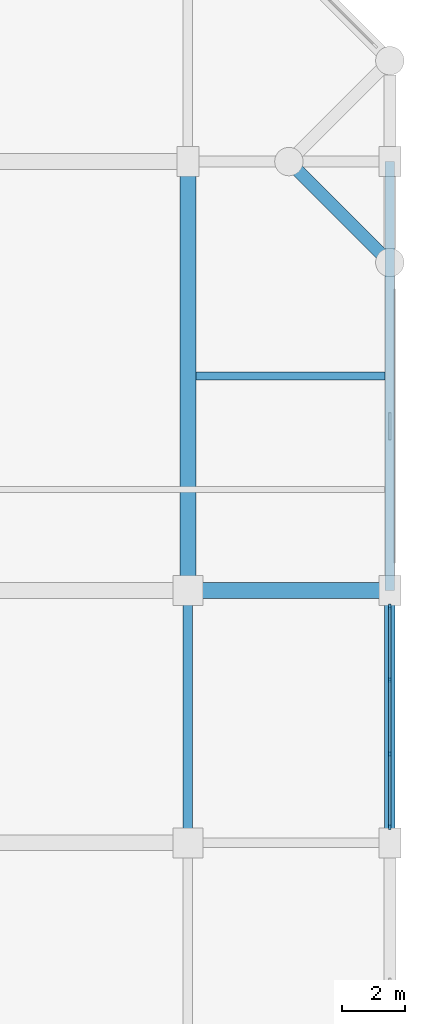
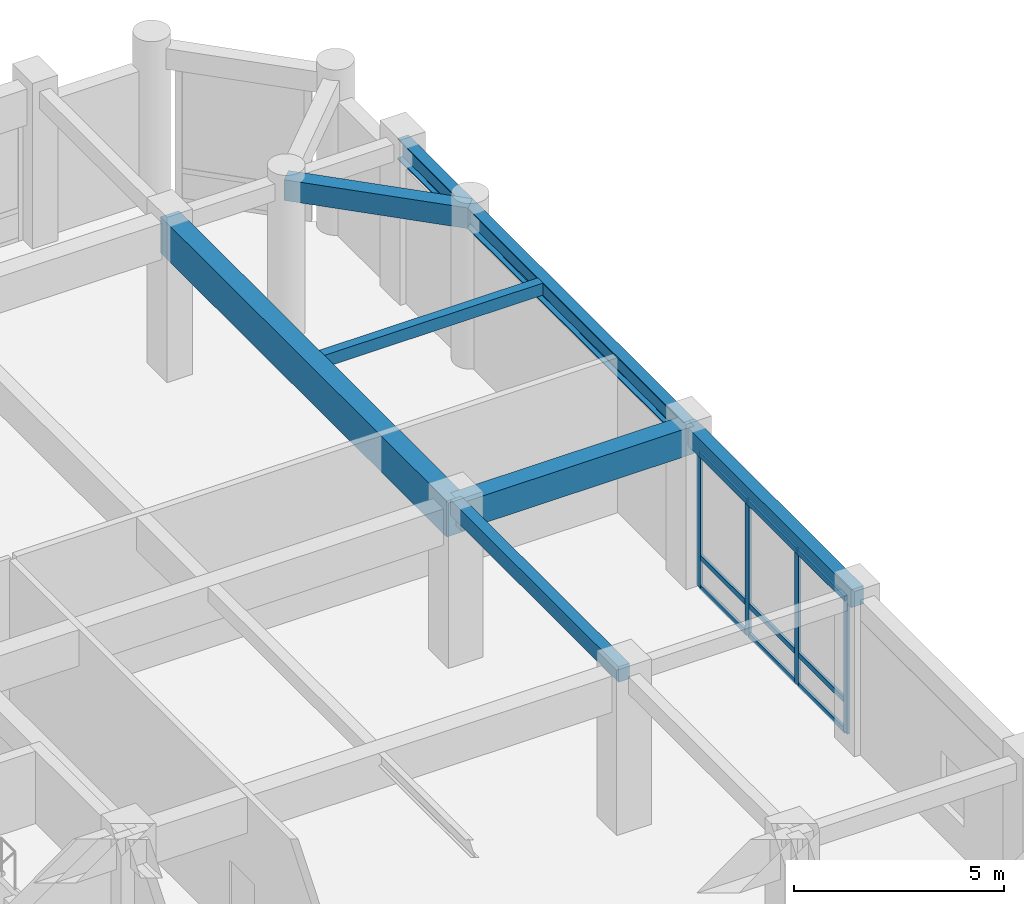
# One storey, part 34 of 61: 13 members, 7 beams, 1 element without a shape of its own.
"""IFC4 building model written with IfcOpenShell, lengths in metres."""

from ifc_helpers import new_model, si_unit, direction, frame, origin, origin_2d, place, context, subcontext, project, spatial, rectangle, i_section, extrude, material, material_profile, profile_set, type_object, element, aggregate, save


model = new_model("IFC4")

# Units and contexts
model_context = context("Model", 3, precision=1e-05, world=origin(), true_north=direction((0.0, 1.0)))
body_context = subcontext(model_context, "Body", "Model", "MODEL_VIEW")
ifc_project = project(units=[si_unit("LENGTHUNIT", "METRE"), si_unit("AREAUNIT", "SQUARE_METRE"), si_unit("VOLUMEUNIT", "CUBIC_METRE"), si_unit("PLANEANGLEUNIT", "RADIAN"), si_unit("MASSUNIT", "GRAM", prefix="KILO")], contexts=[model_context])

# Site, building, storey
site_placement = place(None, origin())
site = spatial("IfcSite", under=ifc_project, at=site_placement, CompositionType="ELEMENT")
building_placement = place(site_placement, origin())
building = spatial("IfcBuilding", under=site, at=building_placement, Name="Vellmiral Cinema and Media Centre", CompositionType="ELEMENT")
storey_placement = place(building_placement, frame((0.0, 0.0, 10.800048828125)))
storey = spatial("IfcBuildingStorey", under=building, at=storey_placement, Name="L02", CompositionType="ELEMENT", Elevation=10.800048828125)

# Beams
ifc_material_1 = material(Name="Concrete C40/50", Category="concrete")
ifc_material_profile_1 = material_profile(ifc_material_1, rectangle(XDim=0.300048828125, YDim=0.449951171875, at=origin_2d()), Name="RC 300x450")
ifc_profile_set_1 = profile_set([ifc_material_profile_1], Name="Concrete C40/50")
beam_type_1 = type_object("IfcBeamType", Name="BM-RC-300x450", PredefinedType="BEAM", material=ifc_profile_set_1)
beam_1_placement = place(storey_placement, frame((161.60009765625, 87.199951171875, 4.27001953125), z_axis=(0.0, 1.0, 0.0), x_axis=(-1.0, 0.0, 0.0)))
element("IfcBeam", 1, at=beam_1_placement, inside=storey, type_object=beam_type_1, Name="Grid Beam L02-Y190", PredefinedType="BEAM", context=body_context, shape_type="SweptSolid", body=[
    extrude(rectangle(XDim=0.300048828125, YDim=0.449951171875, at=origin_2d()), origin(), (0.0, 0.0, 1.0), 8.0),
])
ifc_material_2 = material(Name="Concrete C40/50", Category="concrete")
ifc_material_profile_2 = material_profile(ifc_material_2, rectangle(XDim=0.5, YDim=0.800048828125, at=origin_2d()), Name="RC 500x800")
ifc_profile_set_2 = profile_set([ifc_material_profile_2], Name="Concrete C40/50")
beam_type_2 = type_object("IfcBeamType", Name="BM-RC-500x800", PredefinedType="BEAM", material=ifc_profile_set_2)
beam_2_placement = place(storey_placement, frame((161.60009765625, 95.199951171875, 4.094970703125), z_axis=(1.0, 0.0, 0.0), x_axis=(0.0, 1.0, 0.0)))
element("IfcBeam", 2, at=beam_2_placement, inside=storey, type_object=beam_type_2, Name="Grid Beam L02-X085", PredefinedType="BEAM", context=body_context, shape_type="SweptSolid", body=[
    extrude(rectangle(XDim=0.5, YDim=0.800048828125, at=origin_2d()), origin(), (0.0, 0.0, 1.0), 6.39990234375),
])
ifc_material_3 = material(Name="Concrete C40/50", Category="concrete")
ifc_material_profile_3 = material_profile(ifc_material_3, rectangle(XDim=0.5, YDim=1.050048828125, at=origin_2d()), Name="RC 500x1050")
ifc_profile_set_3 = profile_set([ifc_material_profile_3], Name="Concrete C40/50")
beam_type_3 = type_object("IfcBeamType", Name="BM-RCG-500x1050", PredefinedType="BEAM", material=ifc_profile_set_3)
beam_3_placement = place(storey_placement, frame((161.60009765625, 95.199951171875, 3.969970703125), z_axis=(0.0, 1.0, 0.0), x_axis=(-1.0, 0.0, 0.0)))
element("IfcBeam", 3, at=beam_3_placement, inside=storey, type_object=beam_type_3, Name="Grid Beam L02-Y191", PredefinedType="BEAM", context=body_context, shape_type="SweptSolid", body=[
    extrude(rectangle(XDim=0.5, YDim=1.050048828125, at=origin_2d()), origin(), (0.0, 0.0, 1.0), 13.60009765625),
])

# Curtain wall, members
ifc_material_4 = material(Name="Thermally Broken Aluminium and Triple Glazing", Category="aluminium")
curtain_wall_type = type_object("IfcCurtainWallType", Name="CW-LIB-BAY", PredefinedType="USERDEFINED", material=ifc_material_4)
curtain_wall_placement = place(storey_placement, origin())
curtain_wall = element("IfcCurtainWall", 4, at=curtain_wall_placement, inside=storey, type_object=curtain_wall_type, Name="Curtain Wall L02-B047", ObjectType="STICK CURTAIN WALL", PredefinedType="USERDEFINED")
ifc_material_5 = material(Name="Thermally Broken Anodised Aluminium", Category="aluminium")
ifc_material_profile_4 = material_profile(ifc_material_5, rectangle(XDim=0.070068359375, YDim=0.179931640625, at=origin_2d()), Name="MULL 70x180")
ifc_profile_set_4 = profile_set([ifc_material_profile_4], Name="Thermally Broken Anodised Aluminium")
member_type_1 = type_object("IfcMemberType", Name="CWM-70x180", PredefinedType="MULLION", material=ifc_profile_set_4)
member_1_placement = place(storey_placement, frame((168.0, 87.7099609375, 0.0), z_axis=(0.0, 0.0, 1.0), x_axis=(-1.0, 0.0, 0.0)))
member_1 = element("IfcMember", 5, at=member_1_placement, type_object=member_type_1, Name="CW-03 mullion 1", PredefinedType="MULLION", context=body_context, shape_type="SweptSolid", body=[
    extrude(rectangle(XDim=0.070068359375, YDim=0.179931640625, at=origin_2d()), origin(), (0.0, 0.0, 1.0), 3.89990234375),
])
member_2_placement = place(storey_placement, frame((168.0, 90.02490234375, 0.0), z_axis=(0.0, 0.0, 1.0), x_axis=(-1.0, 0.0, 0.0)))
member_2 = element("IfcMember", 6, at=member_2_placement, type_object=member_type_1, Name="CW-03 mullion 2", PredefinedType="MULLION", context=body_context, shape_type="SweptSolid", body=[
    extrude(rectangle(XDim=0.070068359375, YDim=0.179931640625, at=origin_2d()), origin(), (0.0, 0.0, 1.0), 3.89990234375),
])
member_3_placement = place(storey_placement, frame((168.0, 92.375, 0.0), z_axis=(0.0, 0.0, 1.0), x_axis=(-1.0, 0.0, 0.0)))
member_3 = element("IfcMember", 7, at=member_3_placement, type_object=member_type_1, Name="CW-03 mullion 3", PredefinedType="MULLION", context=body_context, shape_type="SweptSolid", body=[
    extrude(rectangle(XDim=0.070068359375, YDim=0.179931640625, at=origin_2d()), origin(), (0.0, 0.0, 1.0), 3.89990234375),
])
member_4_placement = place(storey_placement, frame((168.0, 94.68994140625, 0.0), z_axis=(0.0, 0.0, 1.0), x_axis=(-1.0, 0.0, 0.0)))
member_4 = element("IfcMember", 8, at=member_4_placement, type_object=member_type_1, Name="CW-03 mullion 4", PredefinedType="MULLION", context=body_context, shape_type="SweptSolid", body=[
    extrude(rectangle(XDim=0.070068359375, YDim=0.179931640625, at=origin_2d()), origin(), (0.0, 0.0, 1.0), 3.89990234375),
])
ifc_material_6 = material(Name="Thermally Broken Anodised Aluminium", Category="aluminium")
ifc_material_profile_5 = material_profile(ifc_material_6, rectangle(XDim=0.070068359375, YDim=0.14990234375, at=origin_2d()), Name="MULL 70x150")
ifc_profile_set_5 = profile_set([ifc_material_profile_5], Name="Thermally Broken Anodised Aluminium")
member_type_2 = type_object("IfcMemberType", Name="CWT-70x150", PredefinedType="USERDEFINED", material=ifc_profile_set_5)
member_5_placement = place(storey_placement, frame((168.0, 87.7451171875, 0.034912109375), z_axis=(0.0, 1.0, 0.0), x_axis=(-1.0, 0.0, 0.0)))
member_5 = element("IfcMember", 9, at=member_5_placement, type_object=member_type_2, Name="CW-03 transom 1.1", ObjectType="TRANSOM", PredefinedType="USERDEFINED", context=body_context, shape_type="SweptSolid", body=[
    extrude(rectangle(XDim=0.070068359375, YDim=0.14990234375, at=origin_2d()), origin(), (0.0, 0.0, 1.0), 2.244873046875),
])
member_6_placement = place(storey_placement, frame((168.0, 87.7451171875, 0.89990234375), z_axis=(0.0, 1.0, 0.0), x_axis=(-1.0, 0.0, 0.0)))
member_6 = element("IfcMember", 10, at=member_6_placement, type_object=member_type_2, Name="CW-03 transom 1.2", ObjectType="TRANSOM", PredefinedType="USERDEFINED", context=body_context, shape_type="SweptSolid", body=[
    extrude(rectangle(XDim=0.070068359375, YDim=0.14990234375, at=origin_2d()), origin(), (0.0, 0.0, 1.0), 2.244873046875),
])
member_7_placement = place(storey_placement, frame((168.0, 87.7451171875, 3.864990234375), z_axis=(0.0, 1.0, 0.0), x_axis=(-1.0, 0.0, 0.0)))
member_7 = element("IfcMember", 11, at=member_7_placement, type_object=member_type_2, Name="CW-03 transom 1.3", ObjectType="TRANSOM", PredefinedType="USERDEFINED", context=body_context, shape_type="SweptSolid", body=[
    extrude(rectangle(XDim=0.070068359375, YDim=0.14990234375, at=origin_2d()), origin(), (0.0, 0.0, 1.0), 2.244873046875),
])
member_8_placement = place(storey_placement, frame((168.0, 90.06005859375, 0.034912109375), z_axis=(0.0, 1.0, 0.0), x_axis=(-1.0, 0.0, 0.0)))
member_8 = element("IfcMember", 12, at=member_8_placement, type_object=member_type_2, Name="CW-03 transom 2.1", ObjectType="TRANSOM", PredefinedType="USERDEFINED", context=body_context, shape_type="SweptSolid", body=[
    extrude(rectangle(XDim=0.070068359375, YDim=0.14990234375, at=origin_2d()), origin(), (0.0, 0.0, 1.0), 2.280029296875),
])
member_9_placement = place(storey_placement, frame((168.0, 90.06005859375, 0.89990234375), z_axis=(0.0, 1.0, 0.0), x_axis=(-1.0, 0.0, 0.0)))
member_9 = element("IfcMember", 13, at=member_9_placement, type_object=member_type_2, Name="CW-03 transom 2.2", ObjectType="TRANSOM", PredefinedType="USERDEFINED", context=body_context, shape_type="SweptSolid", body=[
    extrude(rectangle(XDim=0.070068359375, YDim=0.14990234375, at=origin_2d()), origin(), (0.0, 0.0, 1.0), 2.280029296875),
])
member_10_placement = place(storey_placement, frame((168.0, 90.06005859375, 3.864990234375), z_axis=(0.0, 1.0, 0.0), x_axis=(-1.0, 0.0, 0.0)))
member_10 = element("IfcMember", 14, at=member_10_placement, type_object=member_type_2, Name="CW-03 transom 2.3", ObjectType="TRANSOM", PredefinedType="USERDEFINED", context=body_context, shape_type="SweptSolid", body=[
    extrude(rectangle(XDim=0.070068359375, YDim=0.14990234375, at=origin_2d()), origin(), (0.0, 0.0, 1.0), 2.280029296875),
])
member_11_placement = place(storey_placement, frame((168.0, 92.409912109375, 0.034912109375), z_axis=(0.0, 1.0, 0.0), x_axis=(-1.0, 0.0, 0.0)))
member_11 = element("IfcMember", 15, at=member_11_placement, type_object=member_type_2, Name="CW-03 transom 3.1", ObjectType="TRANSOM", PredefinedType="USERDEFINED", context=body_context, shape_type="SweptSolid", body=[
    extrude(rectangle(XDim=0.070068359375, YDim=0.14990234375, at=origin_2d()), origin(), (0.0, 0.0, 1.0), 2.2451171875),
])
member_12_placement = place(storey_placement, frame((168.0, 92.409912109375, 0.89990234375), z_axis=(0.0, 1.0, 0.0), x_axis=(-1.0, 0.0, 0.0)))
member_12 = element("IfcMember", 16, at=member_12_placement, type_object=member_type_2, Name="CW-03 transom 3.2", ObjectType="TRANSOM", PredefinedType="USERDEFINED", context=body_context, shape_type="SweptSolid", body=[
    extrude(rectangle(XDim=0.070068359375, YDim=0.14990234375, at=origin_2d()), origin(), (0.0, 0.0, 1.0), 2.2451171875),
])
member_13_placement = place(storey_placement, frame((168.0, 92.409912109375, 3.864990234375), z_axis=(0.0, 1.0, 0.0), x_axis=(-1.0, 0.0, 0.0)))
member_13 = element("IfcMember", 17, at=member_13_placement, type_object=member_type_2, Name="CW-03 transom 3.3", ObjectType="TRANSOM", PredefinedType="USERDEFINED", context=body_context, shape_type="SweptSolid", body=[
    extrude(rectangle(XDim=0.070068359375, YDim=0.14990234375, at=origin_2d()), origin(), (0.0, 0.0, 1.0), 2.2451171875),
])
aggregate(curtain_wall, [member_1, member_2, member_3, member_4, member_5, member_6, member_7, member_8, member_9, member_10, member_11, member_12, member_13])

# Beams
ifc_material_7 = material(Name="Concrete C40/50", Category="concrete")
ifc_material_profile_6 = material_profile(ifc_material_7, rectangle(XDim=0.25, YDim=0.35009765625, at=origin_2d()), Name="RC 250x350")
ifc_profile_set_6 = profile_set([ifc_material_profile_6], Name="Concrete C40/50")
beam_type_4 = type_object("IfcBeamType", Name="JST-RC-250x350", PredefinedType="JOIST", material=ifc_profile_set_6)
beam_4_placement = place(storey_placement, frame((161.85009765625, 102.0, 4.320068359375), z_axis=(1.0, 0.0, 0.0), x_axis=(0.0, 1.0, 0.0)))
element("IfcBeam", 18, at=beam_4_placement, inside=storey, type_object=beam_type_4, Name="Secondary Floor Joist L02-025", PredefinedType="JOIST", context=body_context, shape_type="SweptSolid", body=[
    extrude(rectangle(XDim=0.25, YDim=0.35009765625, at=origin_2d()), origin(), (0.0, 0.0, 1.0), 6.0),
])
ifc_material_8 = material(Name="Steel S355", Category="steel")
ifc_material_profile_7 = material_profile(ifc_material_8, i_section(OverallWidth=0.300048828125, OverallDepth=0.60009765625, WebThickness=0.015380859375, FlangeThickness=0.030029296875, FilletRadius=0.027099609375, at=origin_2d()), Name="HEB 600")
ifc_profile_set_7 = profile_set([ifc_material_profile_7], Name="Steel S355")
beam_type_5 = type_object("IfcBeamType", Name="SBM-HEB600-SPD", PredefinedType="SPANDREL", material=ifc_profile_set_7)
beam_5_placement = place(storey_placement, frame((168.0, 95.199951171875, 4.195068359375), z_axis=(0.0, 1.0, 0.0), x_axis=(-1.0, 0.0, 0.0)))
element("IfcBeam", 19, at=beam_5_placement, inside=storey, type_object=beam_type_5, Name="Grid Beam L02-Y197", PredefinedType="SPANDREL", context=body_context, shape_type="SweptSolid", body=[
    extrude(i_section(OverallWidth=0.300048828125, OverallDepth=0.60009765625, WebThickness=0.015380859375, FlangeThickness=0.030029296875, FilletRadius=0.027099609375, at=origin_2d()), origin(), (0.0, 0.0, 1.0), 13.60009765625),
])
ifc_material_9 = material(Name="Concrete C40/50", Category="concrete")
ifc_material_profile_8 = material_profile(ifc_material_9, rectangle(XDim=0.39990234375, YDim=0.60009765625, at=origin_2d()), Name="RC 400x600")
ifc_profile_set_8 = profile_set([ifc_material_profile_8], Name="Concrete C40/50")
beam_type_6 = type_object("IfcBeamType", Name="SPD-RC-400x600", PredefinedType="SPANDREL", material=ifc_profile_set_8)
beam_6_placement = place(storey_placement, frame((164.800048828125, 108.800048828125, 4.195068359375), z_axis=(0.707106781187, -0.707106781187, 0.0), x_axis=(0.707106781187, 0.707106781187, 0.0)))
element("IfcBeam", 20, at=beam_6_placement, inside=storey, type_object=beam_type_6, Name="Xamfra Chamfer Spandrel Beam L02-201", PredefinedType="SPANDREL", context=body_context, shape_type="SweptSolid", body=[
    extrude(rectangle(XDim=0.39990234375, YDim=0.60009765625, at=origin_2d()), origin(), (0.0, 0.0, 1.0), 4.525390625),
])
ifc_material_10 = material(Name="Vosges Red Sandstone Masonry", Category="masonry")
ifc_material_profile_9 = material_profile(ifc_material_10, rectangle(XDim=0.340087890625, YDim=0.52001953125, at=origin_2d()), Name="SAND 340x520")
ifc_profile_set_9 = profile_set([ifc_material_profile_9], Name="Vosges Red Sandstone Masonry")
beam_type_7 = type_object("IfcBeamType", Name="SPD-SAND-340x520", PredefinedType="SPANDREL", material=ifc_profile_set_9)
beam_7_placement = place(storey_placement, frame((168.0, 87.199951171875, 4.23486328125), z_axis=(0.0, 1.0, 0.0), x_axis=(-1.0, 0.0, 0.0)))
element("IfcBeam", 21, at=beam_7_placement, inside=storey, type_object=beam_type_7, Name="Grid Beam L02-Y196", PredefinedType="SPANDREL", context=body_context, shape_type="SweptSolid", body=[
    extrude(rectangle(XDim=0.340087890625, YDim=0.52001953125, at=origin_2d()), origin(), (0.0, 0.0, 1.0), 8.0),
])

save(model, "model.ifc")
